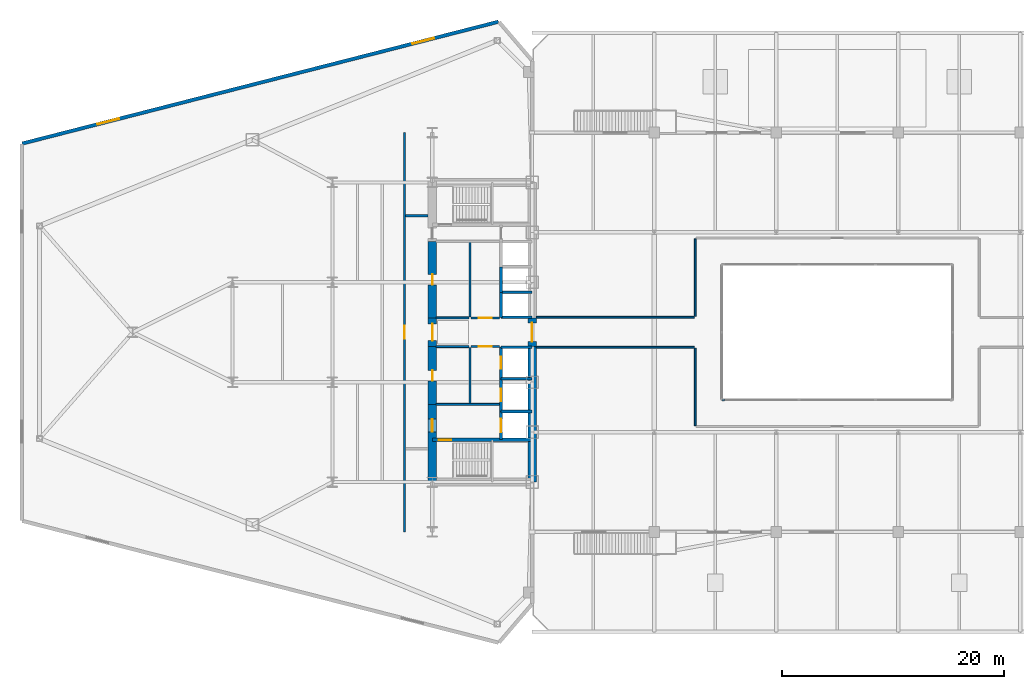
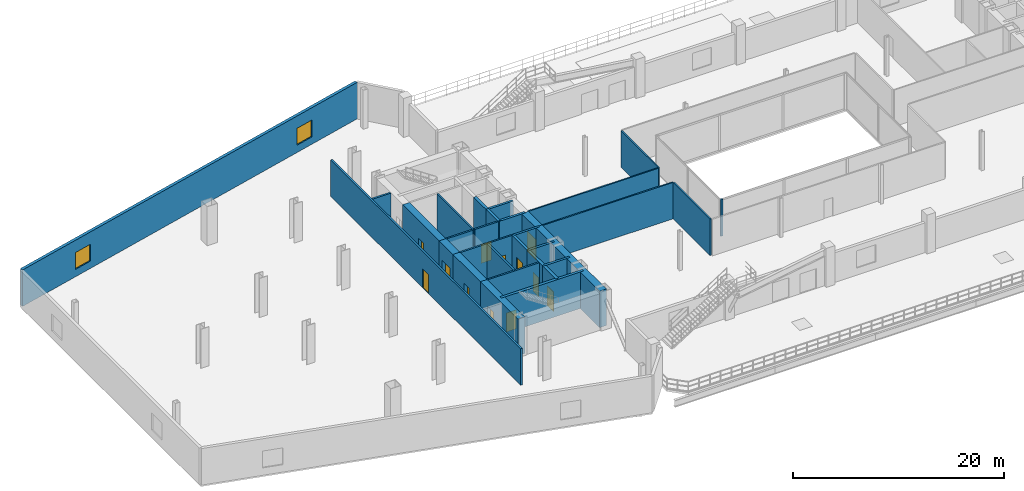
# One storey, part 18 of 27: 32 walls, 12 doors, 2 windows, 14 openings.
"""IFC4 building model written with IfcOpenShell, lengths in metres."""

from ifc_helpers import new_model, si_unit, direction, frame, frame_2d, origin, place, context, subcontext, project, spatial, rectangle, extrude, source, transform, mapped, material, layer, layer_set, type_object, type_shapes, element, fill, save


model = new_model("IFC4")

# Units and contexts
model_context = context("Model", 3, precision=1e-05, world=origin(), true_north=direction((0.0, 1.0)))
body_context = subcontext(model_context, "Body", "Model", "MODEL_VIEW")
ifc_project = project(units=[si_unit("LENGTHUNIT", "METRE"), si_unit("AREAUNIT", "SQUARE_METRE"), si_unit("VOLUMEUNIT", "CUBIC_METRE"), si_unit("PLANEANGLEUNIT", "RADIAN"), si_unit("MASSUNIT", "GRAM", prefix="KILO")], contexts=[model_context])

# Site, building, storey
site_placement = place(None, origin())
site = spatial("IfcSite", under=ifc_project, at=site_placement, CompositionType="ELEMENT")
building_placement = place(site_placement, origin())
building = spatial("IfcBuilding", under=site, at=building_placement, Name="Seokmaru Belvedere", CompositionType="ELEMENT")
storey_placement = place(building_placement, frame((0.0, 0.0, 9.89990234375)))
storey = spatial("IfcBuildingStorey", under=building, at=storey_placement, Name="L02", CompositionType="ELEMENT", Elevation=9.89990234375)

# Walls
ifc_material_1 = material(Name="Fire-Rated Gypsum Shaftwall")
ifc_layer_1 = layer(ifc_material_1, 0.14990234375)
ifc_layer_set_1 = layer_set([ifc_layer_1], Name="Fire-Rated Gypsum Shaftwall")
wall_type_1 = type_object("IfcWallType", Name="Apartment Fire-Acoustic Room Partition 150", PredefinedType="PARTITIONING", material=ifc_layer_set_1)
for number, where, z_axis, x_axis, name in (
    (1, (-27.1201171875, -1.35009765625, 0.0), (0.0, 0.0, 1.0), (1.0, 0.0, 0.0), "L02 Interior Partition 004"),
    (2, (-27.1201171875, 1.35009765625, 0.0), (0.0, 0.0, 1.0), (1.0, 0.0, 0.0), "L02 Interior Partition 006"),
):
    element("IfcWall", number, at=place(storey_placement, frame(where, z_axis=z_axis, x_axis=x_axis)), inside=storey, type_object=wall_type_1, Name=name, PredefinedType="PARTITIONING", context=body_context, shape_type="SweptSolid", body=[
        extrude(rectangle(XDim=14.235107421875, YDim=0.14990234375, at=frame_2d((7.11767578125, 0.0))), origin(), (0.0, 0.0, 1.0), 4.22021484375),
    ])
for number, where, z_axis, x_axis, name in (
    (3, (-12.800048828125, -8.4150390625, 0.0), (0.0, 0.0, 1.0), (0.0, 1.0, 0.0), "L02 Interior Partition 013"),
    (4, (-12.800048828125, 1.43505859375, 0.0), (0.0, 0.0, 1.0), (0.0, 1.0, 0.0), "L02 Interior Partition 014"),
):
    element("IfcWall", number, at=place(storey_placement, frame(where, z_axis=z_axis, x_axis=x_axis)), inside=storey, type_object=wall_type_1, Name=name, PredefinedType="PARTITIONING", context=body_context, shape_type="SweptSolid", body=[
        extrude(rectangle(XDim=6.97998046875, YDim=0.14990234375, at=frame_2d((3.489990234375, 0.0))), origin(), (0.0, 0.0, 1.0), 4.22021484375),
    ])
ifc_material_2 = material(Name="Anodised Bronze Aluminium", Category="aluminium")
ifc_layer_2 = layer(ifc_material_2, 0.2099609375)
ifc_layer_set_2 = layer_set([ifc_layer_2], Name="Anodised Bronze Aluminium")
wall_type_2 = type_object("IfcWallType", Name="Bridge Column Spandrel Closure Pier 210", PredefinedType="SOLIDWALL", material=ifc_layer_set_2)
wall_1_placement = place(storey_placement, frame((-10.39990234375, -6.10009765625, 0.0), z_axis=(0.0, 0.0, 1.0), x_axis=(1.0, 0.0, 0.0)))
element("IfcWall", 5, at=wall_1_placement, inside=storey, type_object=wall_type_2, Name="L02 Atrium Corner Closure Pier 1", PredefinedType="SOLIDWALL", context=body_context, shape_type="SweptSolid", body=[
    extrude(rectangle(XDim=0.25, YDim=0.2099609375, at=frame_2d((0.125, 0.0))), origin(), (0.0, 0.0, 1.0), 4.22021484375),
])
ifc_layer_3 = layer(ifc_material_1, 0.179931640625)
ifc_layer_set_3 = layer_set([ifc_layer_3], Name="Fire-Rated Gypsum Shaftwall")
wall_type_3 = type_object("IfcWallType", Name="Core Service Fire Partition 180", PredefinedType="PARTITIONING", material=ifc_layer_set_3)
wall_2_placement = place(storey_placement, frame((-36.14990234375, -6.5, 0.0), z_axis=(0.0, 0.0, 1.0), x_axis=(1.0, 0.0, 0.0)))
element("IfcWall", 6, at=wall_2_placement, inside=storey, type_object=wall_type_3, Name="L02 West Firefighting Lobby Partition", PredefinedType="PARTITIONING", context=body_context, shape_type="SweptSolid", body=[
    extrude(rectangle(XDim=5.699951171875, YDim=0.179931640625, at=frame_2d((2.85009765625, 0.0))), origin(), (0.0, 0.0, 1.0), 4.22021484375),
])
wall_3_placement = place(storey_placement, frame((-33.10009765625, -6.419921875, 0.0), z_axis=(0.0, 0.0, 1.0), x_axis=(0.0, 1.0, 0.0)))
element("IfcWall", 7, at=wall_3_placement, inside=storey, type_object=wall_type_3, Name="L02 West South Core Service Back Wall", PredefinedType="PARTITIONING", context=body_context, shape_type="SweptSolid", body=[
    extrude(rectangle(XDim=5.0400390625, YDim=0.179931640625, at=frame_2d((2.52001953125, 0.0))), origin(), (0.0, 0.0, 1.0), 4.22021484375),
])
wall_4_placement = place(storey_placement, frame((-33.10009765625, 1.3798828125, 0.0), z_axis=(0.0, 0.0, 1.0), x_axis=(0.0, 1.0, 0.0)))
element("IfcWall", 8, at=wall_4_placement, inside=storey, type_object=wall_type_3, Name="L02 West North Core Service Back Wall", PredefinedType="PARTITIONING", context=body_context, shape_type="SweptSolid", body=[
    extrude(rectangle(XDim=6.740234375, YDim=0.179931640625, at=frame_2d((3.3701171875, 0.0))), origin(), (0.0, 0.0, 1.0), 4.22021484375),
])

# Wall, opening, door
wall_5_placement = place(storey_placement, frame((-33.02001953125, -1.300048828125, 0.0), z_axis=(0.0, 0.0, 1.0), x_axis=(1.0, 0.0, 0.0)))
wall_5 = element("IfcWall", 9, at=wall_5_placement, inside=storey, type_object=wall_type_3, Name="L02 West South Lift Lobby Foyer Wall", PredefinedType="PARTITIONING", context=body_context, shape_type="SweptSolid", body=[
    extrude(rectangle(XDim=2.570068359375, YDim=0.179931640625, at=frame_2d((1.28515625, 0.0))), origin(), (0.0, 0.0, 1.0), 4.22021484375),
])
opening_1_placement = place(wall_5_placement, frame((0.7099609375, 0.0, 0.0)))
opening_1 = element("IfcOpeningElement", 10, at=opening_1_placement, cuts=wall_5, Name="Opening D02", PredefinedType="OPENING", context=body_context, shape_type="SweptSolid", body=[
    extrude(rectangle(XDim=1.14990234375, YDim=2.199951171875, at=frame_2d((0.574951171875, 1.10009765625))), frame((0.0, 0.10009765625, 0.0), z_axis=(0.0, -1.0, 0.0), x_axis=(1.0, 0.0, 0.0)), (0.0, 0.0, 1.0), 0.199951171875),
])
ifc_material_3 = material(Name="Fire-Rated Steel Leaf", Category="steel")
door_type_1 = type_object("IfcDoorType", Name="Lobby and Vestibule Fire Door 1150x2200", OperationType="NOTDEFINED", PredefinedType="DOOR", material=ifc_material_3)
shared_shape_1 = source(origin(), body_context, "Body", "SweptSolid", [
    extrude(rectangle(XDim=1.14990234375, YDim=2.199951171875, at=frame_2d((0.574951171875, 1.10009765625))), frame((0.0, 0.02490234375, 0.0), z_axis=(0.0, -1.0, 0.0), x_axis=(1.0, 0.0, 0.0)), (0.0, 0.0, 1.0), 0.050048828125),
])
type_shapes(door_type_1, [shared_shape_1])
door_1_placement = place(opening_1_placement, origin())
door_1 = element("IfcDoor", 11, at=door_1_placement, inside=storey, type_object=door_type_1, Name="L02 West South Core Foyer Door", OperationType="SINGLE_SWING_LEFT", OverallHeight=2.199951171875, OverallWidth=1.14990234375, PredefinedType="DOOR", context=body_context, shape_type="MappedRepresentation", body=[
    mapped(shared_shape_1, transform((0.0, 0.0, 0.0), scale=1.0)),
])
fill(opening_1, door_1)

wall_6_placement = place(storey_placement, frame((-33.02001953125, 1.300048828125, 0.0), z_axis=(0.0, 0.0, 1.0), x_axis=(1.0, 0.0, 0.0)))
wall_6 = element("IfcWall", 12, at=wall_6_placement, inside=storey, type_object=wall_type_3, Name="L02 West North Lift Lobby Foyer Wall", PredefinedType="PARTITIONING", context=body_context, shape_type="SweptSolid", body=[
    extrude(rectangle(XDim=2.570068359375, YDim=0.179931640625, at=frame_2d((1.28515625, 0.0))), origin(), (0.0, 0.0, 1.0), 4.22021484375),
])
opening_2_placement = place(wall_6_placement, frame((0.7099609375, 0.0, 0.0)))
opening_2 = element("IfcOpeningElement", 13, at=opening_2_placement, cuts=wall_6, Name="Opening D02", PredefinedType="OPENING", context=body_context, shape_type="SweptSolid", body=[
    extrude(rectangle(XDim=1.14990234375, YDim=2.199951171875, at=frame_2d((0.574951171875, 1.10009765625))), frame((0.0, 0.10009765625, 0.0), z_axis=(0.0, -1.0, 0.0), x_axis=(1.0, 0.0, 0.0)), (0.0, 0.0, 1.0), 0.199951171875),
])
door_2_placement = place(opening_2_placement, origin())
door_2 = element("IfcDoor", 14, at=door_2_placement, inside=storey, type_object=door_type_1, Name="L02 West North Lift Lobby Door", OperationType="SINGLE_SWING_RIGHT", OverallHeight=2.199951171875, OverallWidth=1.14990234375, PredefinedType="DOOR", context=body_context, shape_type="MappedRepresentation", body=[
    mapped(shared_shape_1, transform((0.0, 0.0, 0.0), scale=1.0)),
])
fill(opening_2, door_2)

# Walls
for number, where, z_axis, x_axis, name in (
    (15, (-36.14990234375, -1.300048828125, 0.0), (0.0, 0.0, 1.0), (1.0, 0.0, 0.0), "L02 West Foyer Side Wall S"),
    (16, (-36.14990234375, 1.300048828125, 0.0), (0.0, 0.0, 1.0), (1.0, 0.0, 0.0), "L02 West Foyer Side Wall N"),
):
    element("IfcWall", number, at=place(storey_placement, frame(where, z_axis=z_axis, x_axis=x_axis)), inside=storey, type_object=wall_type_3, Name=name, PredefinedType="PARTITIONING", context=body_context, shape_type="SweptSolid", body=[
        extrude(rectangle(XDim=2.949951171875, YDim=0.179931640625, at=frame_2d((1.47509765625, 0.0))), origin(), (0.0, 0.0, 1.0), 4.22021484375),
    ])
ifc_material_4 = material(Name="Concrete C50 (50 MPa)", Category="concrete")
ifc_layer_4 = layer(ifc_material_4, 0.25)
ifc_layer_set_4 = layer_set([ifc_layer_4], Name="Concrete C50 (50 MPa)")
wall_type_4 = type_object("IfcWallType", Name="Hoistway Transverse Concrete Divider Wall 250", PredefinedType="SHEAR", material=ifc_layer_set_4)
for number, where, z_axis, x_axis, name in (
    (17, (-30.300048828125, -7.14990234375, 0.0), (0.0, 0.0, 1.0), (1.0, 0.0, 0.0), "L02 West Hoistway Divider Core Wall 1"),
    (18, (-30.300048828125, -4.199951171875, 0.0), (0.0, 0.0, 1.0), (1.0, 0.0, 0.0), "L02 West Hoistway Divider Core Wall 2"),
    (19, (-30.300048828125, -1.35009765625, 0.0), (0.0, 0.0, 1.0), (1.0, 0.0, 0.0), "L02 West Hoistway Divider Core Wall 3"),
    (20, (-30.300048828125, 1.35009765625, 0.0), (0.0, 0.0, 1.0), (1.0, 0.0, 0.0), "L02 West Hoistway Divider Core Wall 4"),
    (21, (-30.300048828125, 3.60009765625, 0.0), (0.0, 0.0, 1.0), (1.0, 0.0, 0.0), "L02 West Hoistway Divider Core Wall 5"),
):
    element("IfcWall", number, at=place(storey_placement, frame(where, z_axis=z_axis, x_axis=x_axis)), inside=storey, type_object=wall_type_4, Name=name, PredefinedType="SHEAR", context=body_context, shape_type="SweptSolid", body=[
        extrude(rectangle(XDim=2.800048828125, YDim=0.25, at=frame_2d((1.39990234375, 0.0))), origin(), (0.0, 0.0, 1.0), 4.22021484375),
    ])
ifc_layer_5 = layer(ifc_material_1, 0.199951171875)
ifc_layer_set_5 = layer_set([ifc_layer_5], Name="Fire-Rated Gypsum Shaftwall")
wall_type_5 = type_object("IfcWallType", Name="Inter-Tenancy Fire Compartment Partition 200", PredefinedType="PARTITIONING", material=ifc_layer_set_5)
wall_7_placement = place(storey_placement, frame((-38.9150390625, 10.5, 0.0), z_axis=(0.0, 0.0, 1.0), x_axis=(1.0, 0.0, 0.0)))
element("IfcWall", 22, at=wall_7_placement, inside=storey, type_object=wall_type_5, Name="L02 Interior Partition 010", PredefinedType="PARTITIONING", context=body_context, shape_type="SweptSolid", body=[
    extrude(rectangle(XDim=2.03515625, YDim=0.199951171875, at=frame_2d((1.017578125, 0.0))), origin(), (0.0, 0.0, 1.0), 4.22021484375),
])

# Wall, opening, door
wall_8_placement = place(storey_placement, frame((-39.0, -18.0, 0.0), z_axis=(0.0, 0.0, 1.0), x_axis=(0.0, 1.0, 0.0)))
wall_8 = element("IfcWall", 23, at=wall_8_placement, inside=storey, type_object=wall_type_5, Name="L02 Interior Partition 012", PredefinedType="PARTITIONING", context=body_context, shape_type="SweptSolid", body=[
    extrude(rectangle(XDim=36.0, YDim=0.199951171875, at=frame_2d((18.0, 0.0))), origin(), (0.0, 0.0, 1.0), 4.22021484375),
])
opening_3_placement = place(wall_8_placement, frame((17.425048828125, 0.0, 0.0)))
opening_3 = element("IfcOpeningElement", 24, at=opening_3_placement, cuts=wall_8, Name="Opening D02", PredefinedType="OPENING", context=body_context, shape_type="SweptSolid", body=[
    extrude(rectangle(XDim=1.14990234375, YDim=2.199951171875, at=frame_2d((0.574951171875, 1.10009765625))), frame((0.0, 0.10986328125, 0.0), z_axis=(0.0, -1.0, 0.0), x_axis=(1.0, 0.0, 0.0)), (0.0, 0.0, 1.0), 0.219970703125),
])
door_3_placement = place(opening_3_placement, origin())
door_3 = element("IfcDoor", 25, at=door_3_placement, inside=storey, type_object=door_type_1, Name="L02 Interior Door 001", OperationType="SINGLE_SWING_LEFT", OverallHeight=2.199951171875, OverallWidth=1.14990234375, PredefinedType="DOOR", context=body_context, shape_type="MappedRepresentation", body=[
    mapped(shared_shape_1, transform((0.0, 0.0, 0.0), scale=1.0)),
])
fill(opening_3, door_3)

ifc_layer_6 = layer(ifc_material_4, 0.300048828125)
ifc_layer_set_6 = layer_set([ifc_layer_6], Name="Concrete C50 (50 MPa)")
wall_type_6 = type_object("IfcWallType", Name="Internal Core Stair and Hoistway Wall 300", PredefinedType="SHEAR", material=ifc_layer_set_6)
wall_9_placement = place(storey_placement, frame((-36.5, -9.699951171875, 0.0), z_axis=(0.0, 0.0, 1.0), x_axis=(1.0, 0.0, 0.0)))
wall_9 = element("IfcWall", 26, at=wall_9_placement, inside=storey, type_object=wall_type_6, Name="L02 West Stair ST-1 Enclosure Wall", PredefinedType="SHEAR", context=body_context, shape_type="SweptSolid", body=[
    extrude(rectangle(XDim=9.0, YDim=0.300048828125, at=frame_2d((4.5, 0.0))), origin(), (0.0, 0.0, 1.0), 4.22021484375),
])
opening_4_placement = place(wall_9_placement, frame((0.60009765625, 0.0, 0.0)))
opening_4 = element("IfcOpeningElement", 27, at=opening_4_placement, cuts=wall_9, Name="Opening D01", PredefinedType="OPENING", context=body_context, shape_type="SweptSolid", body=[
    extrude(rectangle(XDim=1.10009765625, YDim=2.199951171875, at=frame_2d((0.550048828125, 1.10009765625))), frame((0.0, 0.16015625, 0.0), z_axis=(0.0, -1.0, 0.0), x_axis=(1.0, 0.0, 0.0)), (0.0, 0.0, 1.0), 0.320068359375),
])
door_type_2 = type_object("IfcDoorType", Name="Special Escape Stair Smokeproof Fire Door 1100x2200", OperationType="NOTDEFINED", PredefinedType="DOOR", material=ifc_material_3)
shared_shape_2 = source(origin(), body_context, "Body", "SweptSolid", [
    extrude(rectangle(XDim=1.10009765625, YDim=2.199951171875, at=frame_2d((0.550048828125, 1.10009765625))), frame((0.0, 0.02490234375, 0.0), z_axis=(0.0, -1.0, 0.0), x_axis=(1.0, 0.0, 0.0)), (0.0, 0.0, 1.0), 0.050048828125),
])
type_shapes(door_type_2, [shared_shape_2])
door_4_placement = place(opening_4_placement, frame((1.10009765625, 0.0, 0.0), z_axis=(0.0, 0.0, 1.0), x_axis=(-1.0, 0.0, 0.0)))
door_4 = element("IfcDoor", 28, at=door_4_placement, inside=storey, type_object=door_type_2, Name="L02 West Special Escape Stair ST-1 Door", OperationType="SINGLE_SWING_LEFT", OverallHeight=2.199951171875, OverallWidth=1.10009765625, PredefinedType="DOOR", context=body_context, shape_type="MappedRepresentation", body=[
    mapped(shared_shape_2, transform((0.0, 0.0, 0.0), scale=1.0)),
])
fill(opening_4, door_4)

wall_10_placement = place(storey_placement, frame((-30.300048828125, -9.679931640625, 0.0), z_axis=(0.0, 0.0, 1.0), x_axis=(0.0, 1.0, 0.0)))
wall_10 = element("IfcWall", 29, at=wall_10_placement, inside=storey, type_object=wall_type_6, Name="L02 West Firefighting Lift Shaft Front Wall", PredefinedType="SHEAR", context=body_context, shape_type="SweptSolid", body=[
    extrude(rectangle(XDim=2.559814453125, YDim=0.300048828125, at=frame_2d((1.27978515625, 0.0))), origin(), (0.0, 0.0, 1.0), 4.22021484375),
])
opening_5_placement = place(wall_10_placement, frame((0.679931640625, 0.0, 0.0)))
opening_5 = element("IfcOpeningElement", 30, at=opening_5_placement, cuts=wall_10, Name="Opening LD2", PredefinedType="OPENING", context=body_context, shape_type="SweptSolid", body=[
    extrude(rectangle(XDim=1.199951171875, YDim=2.25, at=frame_2d((0.60009765625, 1.125))), frame((0.0, 0.16015625, 0.0), z_axis=(0.0, -1.0, 0.0), x_axis=(1.0, 0.0, 0.0)), (0.0, 0.0, 1.0), 0.320068359375),
])
ifc_material_5 = material(Name="Stainless Steel 316", Category="steel")
door_type_3 = type_object("IfcDoorType", Name="Firefighting Lift Sliding Landing Door 1200x2250", OperationType="DOUBLE_DOOR_SLIDING", PredefinedType="DOOR", material=ifc_material_5)
shared_shape_3 = source(origin(), body_context, "Body", "SweptSolid", [
    extrude(rectangle(XDim=1.199951171875, YDim=2.25, at=frame_2d((0.60009765625, 1.125))), frame((0.0, 0.02490234375, 0.0), z_axis=(0.0, -1.0, 0.0), x_axis=(1.0, 0.0, 0.0)), (0.0, 0.0, 1.0), 0.050048828125),
])
type_shapes(door_type_3, [shared_shape_3])
door_5_placement = place(opening_5_placement, origin())
door_5 = element("IfcDoor", 31, at=door_5_placement, inside=storey, type_object=door_type_3, Name="L02 West Firefighting Lift Landing Door", OperationType="DOUBLE_DOOR_SLIDING", OverallHeight=2.25, OverallWidth=1.199951171875, PredefinedType="DOOR", context=body_context, shape_type="MappedRepresentation", body=[
    mapped(shared_shape_3, transform((0.0, 0.0, 0.0), scale=1.0)),
])
fill(opening_5, door_5)

wall_11_placement = place(storey_placement, frame((-30.300048828125, -7.1201171875, 0.0), z_axis=(0.0, 0.0, 1.0), x_axis=(0.0, 1.0, 0.0)))
wall_11 = element("IfcWall", 32, at=wall_11_placement, inside=storey, type_object=wall_type_6, Name="L02 West Low-Rise Lift PL-1 Front Wall", PredefinedType="SHEAR", context=body_context, shape_type="SweptSolid", body=[
    extrude(rectangle(XDim=2.920166015625, YDim=0.300048828125, at=frame_2d((1.4599609375, 0.0))), origin(), (0.0, 0.0, 1.0), 4.22021484375),
])
opening_6_placement = place(wall_11_placement, frame((0.909912109375, 0.0, 0.0)))
opening_6 = element("IfcOpeningElement", 33, at=opening_6_placement, cuts=wall_11, Name="Opening LD1", PredefinedType="OPENING", context=body_context, shape_type="SweptSolid", body=[
    extrude(rectangle(XDim=1.10009765625, YDim=2.199951171875, at=frame_2d((0.550048828125, 1.10009765625))), frame((0.0, 0.16015625, 0.0), z_axis=(0.0, -1.0, 0.0), x_axis=(1.0, 0.0, 0.0)), (0.0, 0.0, 1.0), 0.320068359375),
])
door_type_4 = type_object("IfcDoorType", Name="Passenger Lift Sliding Landing Door 1100x2200", OperationType="DOUBLE_DOOR_SLIDING", PredefinedType="DOOR", material=ifc_material_5)
shared_shape_4 = source(origin(), body_context, "Body", "SweptSolid", [
    extrude(rectangle(XDim=1.10009765625, YDim=2.199951171875, at=frame_2d((0.550048828125, 1.10009765625))), frame((0.0, 0.02490234375, 0.0), z_axis=(0.0, -1.0, 0.0), x_axis=(1.0, 0.0, 0.0)), (0.0, 0.0, 1.0), 0.050048828125),
])
type_shapes(door_type_4, [shared_shape_4])
door_6_placement = place(opening_6_placement, origin())
door_6 = element("IfcDoor", 34, at=door_6_placement, inside=storey, type_object=door_type_4, Name="L02 West Low-Rise Lift PL-1 Landing Door", OperationType="DOUBLE_DOOR_SLIDING", OverallHeight=2.199951171875, OverallWidth=1.10009765625, PredefinedType="DOOR", context=body_context, shape_type="MappedRepresentation", body=[
    mapped(shared_shape_4, transform((0.0, 0.0, 0.0), scale=1.0)),
])
fill(opening_6, door_6)

wall_12_placement = place(storey_placement, frame((-30.300048828125, -4.199951171875, 0.0), z_axis=(0.0, 0.0, 1.0), x_axis=(0.0, 1.0, 0.0)))
wall_12 = element("IfcWall", 35, at=wall_12_placement, inside=storey, type_object=wall_type_6, Name="L02 West Low-Rise Lift PL-2 Front Wall", PredefinedType="SHEAR", context=body_context, shape_type="SweptSolid", body=[
    extrude(rectangle(XDim=2.8798828125, YDim=0.300048828125, at=frame_2d((1.43994140625, 0.0))), origin(), (0.0, 0.0, 1.0), 4.22021484375),
])
opening_7_placement = place(wall_12_placement, frame((0.889892578125, 0.0, 0.0)))
opening_7 = element("IfcOpeningElement", 36, at=opening_7_placement, cuts=wall_12, Name="Opening LD1", PredefinedType="OPENING", context=body_context, shape_type="SweptSolid", body=[
    extrude(rectangle(XDim=1.10009765625, YDim=2.199951171875, at=frame_2d((0.550048828125, 1.10009765625))), frame((0.0, 0.16015625, 0.0), z_axis=(0.0, -1.0, 0.0), x_axis=(1.0, 0.0, 0.0)), (0.0, 0.0, 1.0), 0.320068359375),
])
door_7_placement = place(opening_7_placement, origin())
door_7 = element("IfcDoor", 37, at=door_7_placement, inside=storey, type_object=door_type_4, Name="L02 West Low-Rise Lift PL-2 Landing Door", OperationType="DOUBLE_DOOR_SLIDING", OverallHeight=2.199951171875, OverallWidth=1.10009765625, PredefinedType="DOOR", context=body_context, shape_type="MappedRepresentation", body=[
    mapped(shared_shape_4, transform((0.0, 0.0, 0.0), scale=1.0)),
])
fill(opening_7, door_7)

# Walls
wall_13_placement = place(storey_placement, frame((-30.300048828125, 1.320068359375, 0.0), z_axis=(0.0, 0.0, 1.0), x_axis=(0.0, 1.0, 0.0)))
element("IfcWall", 38, at=wall_13_placement, inside=storey, type_object=wall_type_6, Name="L02 West North Hoistway Wall PH1", PredefinedType="SHEAR", context=body_context, shape_type="SweptSolid", body=[
    extrude(rectangle(XDim=2.280029296875, YDim=0.300048828125, at=frame_2d((1.14013671875, 0.0))), origin(), (0.0, 0.0, 1.0), 4.22021484375),
])
wall_14_placement = place(storey_placement, frame((-30.300048828125, 3.60009765625, 0.0), z_axis=(0.0, 0.0, 1.0), x_axis=(0.0, 1.0, 0.0)))
element("IfcWall", 39, at=wall_14_placement, inside=storey, type_object=wall_type_6, Name="L02 West North Hoistway Wall PH2", PredefinedType="SHEAR", context=body_context, shape_type="SweptSolid", body=[
    extrude(rectangle(XDim=2.2998046875, YDim=0.300048828125, at=frame_2d((1.14990234375, 0.0))), origin(), (0.0, 0.0, 1.0), 4.22021484375),
])
ifc_material_6 = material(Name="Concrete C60 (60 MPa)", Category="concrete")
ifc_layer_7 = layer(ifc_material_6, 0.75)
ifc_layer_set_7 = layer_set([ifc_layer_7], Name="Concrete C60 (60 MPa)")
wall_type_7 = type_object("IfcWallType", Name="Lower Tower Reinforced Concrete Core Wall 750", PredefinedType="SHEAR", material=ifc_layer_set_7)
wall_15_placement = place(storey_placement, frame((-27.5, -13.5, 0.0), z_axis=(0.0, 0.0, 1.0), x_axis=(0.0, 1.0, 0.0)))
element("IfcWall", 40, at=wall_15_placement, inside=storey, type_object=wall_type_7, Name="L02 West Portal Spine Core Wall South", PredefinedType="SHEAR", context=body_context, shape_type="SweptSolid", body=[
    extrude(rectangle(XDim=12.199951171875, YDim=0.75, at=frame_2d((6.10009765625, 0.0))), origin(), (0.0, 0.0, 1.0), 4.22021484375),
])

# Wall, opening, door
wall_16_placement = place(storey_placement, frame((-27.5, -1.300048828125, 0.0), z_axis=(0.0, 0.0, 1.0), x_axis=(0.0, 1.0, 0.0)))
wall_16 = element("IfcWall", 41, at=wall_16_placement, inside=storey, type_object=wall_type_7, Name="L02 West Portal Spine Core Wall Center", PredefinedType="SHEAR", context=body_context, shape_type="SweptSolid", body=[
    extrude(rectangle(XDim=2.60009765625, YDim=0.75, at=frame_2d((1.300048828125, 0.0))), origin(), (0.0, 0.0, 1.0), 4.22021484375),
])
opening_8_placement = place(wall_16_placement, frame((0.449951171875, 0.0, 0.0)))
opening_8 = element("IfcOpeningElement", 42, at=opening_8_placement, cuts=wall_16, Name="Opening D09", PredefinedType="OPENING", context=body_context, shape_type="SweptSolid", body=[
    extrude(rectangle(XDim=1.699951171875, YDim=2.35009765625, at=frame_2d((0.85009765625, 1.175048828125))), frame((0.0, 0.385009765625, 0.0), z_axis=(0.0, -1.0, 0.0), x_axis=(1.0, 0.0, 0.0)), (0.0, 0.0, 1.0), 0.77001953125),
])
door_type_5 = type_object("IfcDoorType", Name="Sky-Gate Bridge Inter-Tower Fire Door 1700x2350", OperationType="DOUBLE_SWING_LEFT", PredefinedType="DOOR", material=ifc_material_3)
shared_shape_5 = source(origin(), body_context, "Body", "SweptSolid", [
    extrude(rectangle(XDim=1.699951171875, YDim=2.35009765625, at=frame_2d((0.85009765625, 1.175048828125))), frame((0.0, 0.02490234375, 0.0), z_axis=(0.0, -1.0, 0.0), x_axis=(1.0, 0.0, 0.0)), (0.0, 0.0, 1.0), 0.050048828125),
])
type_shapes(door_type_5, [shared_shape_5])
door_8_placement = place(opening_8_placement, origin())
door_8 = element("IfcDoor", 43, at=door_8_placement, inside=storey, type_object=door_type_5, Name="L02 West Inter-Tower Fire Door", OperationType="DOUBLE_SWING_LEFT", OverallHeight=2.35009765625, OverallWidth=1.699951171875, PredefinedType="DOOR", context=body_context, shape_type="MappedRepresentation", body=[
    mapped(shared_shape_5, transform((0.0, 0.0, 0.0), scale=1.0)),
])
fill(opening_8, door_8)

wall_17_placement = place(storey_placement, frame((-36.5, -13.64990234375, 0.0), z_axis=(0.0, 0.0, 1.0), x_axis=(0.0, 1.0, 0.0)))
wall_17 = element("IfcWall", 44, at=wall_17_placement, inside=storey, type_object=wall_type_7, Name="L02 West West Core Wall FF", PredefinedType="SHEAR", context=body_context, shape_type="SweptSolid", body=[
    extrude(rectangle(XDim=7.14990234375, YDim=0.75, at=frame_2d((3.574951171875, 0.0))), origin(), (0.0, 0.0, 1.0), 4.22021484375),
])
opening_9_placement = place(wall_17_placement, frame((4.675048828125, 0.0, 0.0)))
opening_9 = element("IfcOpeningElement", 45, at=opening_9_placement, cuts=wall_17, Name="Opening D02", PredefinedType="OPENING", context=body_context, shape_type="SweptSolid", body=[
    extrude(rectangle(XDim=1.14990234375, YDim=2.199951171875, at=frame_2d((0.574951171875, 1.10009765625))), frame((0.0, 0.385009765625, 0.0), z_axis=(0.0, -1.0, 0.0), x_axis=(1.0, 0.0, 0.0)), (0.0, 0.0, 1.0), 0.77001953125),
])
door_9_placement = place(opening_9_placement, frame((1.14990234375, 0.0, 0.0), z_axis=(0.0, 0.0, 1.0), x_axis=(-1.0, 0.0, 0.0)))
door_9 = element("IfcDoor", 46, at=door_9_placement, inside=storey, type_object=door_type_1, Name="L02 West Firefighting Lobby Door", OperationType="SINGLE_SWING_LEFT", OverallHeight=2.199951171875, OverallWidth=1.14990234375, PredefinedType="DOOR", context=body_context, shape_type="MappedRepresentation", body=[
    mapped(shared_shape_1, transform((0.0, 0.0, 0.0), scale=1.0)),
])
fill(opening_9, door_9)

wall_18_placement = place(storey_placement, frame((-36.5, -1.300048828125, 0.0), z_axis=(0.0, 0.0, 1.0), x_axis=(0.0, 1.0, 0.0)))
wall_18 = element("IfcWall", 47, at=wall_18_placement, inside=storey, type_object=wall_type_7, Name="L02 West West Core Wall FOY", PredefinedType="SHEAR", context=body_context, shape_type="SweptSolid", body=[
    extrude(rectangle(XDim=2.60009765625, YDim=0.75, at=frame_2d((1.300048828125, 0.0))), origin(), (0.0, 0.0, 1.0), 4.22021484375),
])
opening_10_placement = place(wall_18_placement, frame((0.550048828125, 0.0, 0.0)))
opening_10 = element("IfcOpeningElement", 48, at=opening_10_placement, cuts=wall_18, Name="Opening D08", PredefinedType="OPENING", context=body_context, shape_type="SweptSolid", body=[
    extrude(rectangle(XDim=1.5, YDim=2.300048828125, at=frame_2d((0.75, 1.14990234375))), frame((0.0, 0.385009765625, 0.0), z_axis=(0.0, -1.0, 0.0), x_axis=(1.0, 0.0, 0.0)), (0.0, 0.0, 1.0), 0.77001953125),
])
door_type_6 = type_object("IfcDoorType", Name="Cross-Corridor Compartment Double Fire Door 1500x2300", OperationType="DOUBLE_SWING_LEFT", PredefinedType="DOOR", material=ifc_material_3)
shared_shape_6 = source(origin(), body_context, "Body", "SweptSolid", [
    extrude(rectangle(XDim=1.5, YDim=2.300048828125, at=frame_2d((0.75, 1.14990234375))), frame((0.0, 0.02490234375, 0.0), z_axis=(0.0, -1.0, 0.0), x_axis=(1.0, 0.0, 0.0)), (0.0, 0.0, 1.0), 0.050048828125),
])
type_shapes(door_type_6, [shared_shape_6])
door_10_placement = place(opening_10_placement, origin())
door_10 = element("IfcDoor", 49, at=door_10_placement, inside=storey, type_object=door_type_6, Name="L02 West Core Foyer Compartment Door", OperationType="DOUBLE_SWING_LEFT", OverallHeight=2.300048828125, OverallWidth=1.5, PredefinedType="DOOR", context=body_context, shape_type="MappedRepresentation", body=[
    mapped(shared_shape_6, transform((0.0, 0.0, 0.0), scale=1.0)),
])
fill(opening_10, door_10)

wall_19_placement = place(storey_placement, frame((-36.5, -6.5, 0.0), z_axis=(0.0, 0.0, 1.0), x_axis=(0.0, 1.0, 0.0)))
wall_19 = element("IfcWall", 50, at=wall_19_placement, inside=storey, type_object=wall_type_7, Name="L02 West West Core Wall CS1", PredefinedType="SHEAR", context=body_context, shape_type="SweptSolid", body=[
    extrude(rectangle(XDim=5.199951171875, YDim=0.75, at=frame_2d((2.60009765625, 0.0))), origin(), (0.0, 0.0, 1.0), 4.22021484375),
])
opening_11_placement = place(wall_19_placement, frame((2.125, 0.0, 0.0)))
opening_11 = element("IfcOpeningElement", 51, at=opening_11_placement, cuts=wall_19, Name="Opening D04", PredefinedType="OPENING", context=body_context, shape_type="SweptSolid", body=[
    extrude(rectangle(XDim=0.949951171875, YDim=2.14990234375, at=frame_2d((0.47509765625, 1.074951171875))), frame((0.0, 0.385009765625, 0.0), z_axis=(0.0, -1.0, 0.0), x_axis=(1.0, 0.0, 0.0)), (0.0, 0.0, 1.0), 0.77001953125),
])
door_type_7 = type_object("IfcDoorType", Name="Core Service Room Fire Door 950x2150", OperationType="NOTDEFINED", PredefinedType="DOOR", material=ifc_material_3)
shared_shape_7 = source(origin(), body_context, "Body", "SweptSolid", [
    extrude(rectangle(XDim=0.949951171875, YDim=2.14990234375, at=frame_2d((0.47509765625, 1.074951171875))), frame((0.0, 0.02490234375, 0.0), z_axis=(0.0, -1.0, 0.0), x_axis=(1.0, 0.0, 0.0)), (0.0, 0.0, 1.0), 0.050048828125),
])
type_shapes(door_type_7, [shared_shape_7])
door_11_placement = place(opening_11_placement, origin())
door_11 = element("IfcDoor", 52, at=door_11_placement, inside=storey, type_object=door_type_7, Name="L02 West Core Service Room Door 1", OperationType="SINGLE_SWING_LEFT", OverallHeight=2.14990234375, OverallWidth=0.949951171875, PredefinedType="DOOR", context=body_context, shape_type="MappedRepresentation", body=[
    mapped(shared_shape_7, transform((0.0, 0.0, 0.0), scale=1.0)),
])
fill(opening_11, door_11)

wall_20_placement = place(storey_placement, frame((-36.5, 1.300048828125, 0.0), z_axis=(0.0, 0.0, 1.0), x_axis=(0.0, 1.0, 0.0)))
wall_20 = element("IfcWall", 53, at=wall_20_placement, inside=storey, type_object=wall_type_7, Name="L02 West West Core Wall CS2", PredefinedType="SHEAR", context=body_context, shape_type="SweptSolid", body=[
    extrude(rectangle(XDim=6.89990234375, YDim=0.75, at=frame_2d((3.449951171875, 0.0))), origin(), (0.0, 0.0, 1.0), 4.22021484375),
])
opening_12_placement = place(wall_20_placement, frame((2.97509765625, 0.0, 0.0)))
opening_12 = element("IfcOpeningElement", 54, at=opening_12_placement, cuts=wall_20, Name="Opening D04", PredefinedType="OPENING", context=body_context, shape_type="SweptSolid", body=[
    extrude(rectangle(XDim=0.949951171875, YDim=2.14990234375, at=frame_2d((0.47509765625, 1.074951171875))), frame((0.0, 0.385009765625, 0.0), z_axis=(0.0, -1.0, 0.0), x_axis=(1.0, 0.0, 0.0)), (0.0, 0.0, 1.0), 0.77001953125),
])
door_12_placement = place(opening_12_placement, origin())
door_12 = element("IfcDoor", 55, at=door_12_placement, inside=storey, type_object=door_type_7, Name="L02 West Core Service Room Door 2", OperationType="SINGLE_SWING_RIGHT", OverallHeight=2.14990234375, OverallWidth=0.949951171875, PredefinedType="DOOR", context=body_context, shape_type="MappedRepresentation", body=[
    mapped(shared_shape_7, transform((0.0, 0.0, 0.0), scale=1.0)),
])
fill(opening_12, door_12)

# Wall, openings, windows
ifc_material_7 = material(Name="Concrete C40 (40 MPa)", Category="concrete")
ifc_layer_8 = layer(ifc_material_7, 0.320068359375)
ifc_layer_set_8 = layer_set([ifc_layer_8], Name="Concrete C40 (40 MPa)")
wall_type_8 = type_object("IfcWallType", Name="Podium Terrace Insulated Wall 320", PredefinedType="SOLIDWALL", material=ifc_layer_set_8)
wall_21_placement = place(storey_placement, frame((-30.538818359375, 27.989990234375, 0.0), z_axis=(0.0, 0.0, 1.0), x_axis=(-0.968803566014, -0.247829882134, 0.0)))
wall_21 = element("IfcWall", 56, at=wall_21_placement, inside=storey, type_object=wall_type_8, Name="L02 Exterior Podium Wall 15", PredefinedType="SOLIDWALL", context=body_context, shape_type="SweptSolid", body=[
    extrude(rectangle(XDim=44.304443359375, YDim=0.320068359375, at=frame_2d((22.15234375, 0.0))), origin(), (0.0, 0.0, 1.0), 4.22021484375),
])
opening_13_placement = place(wall_21_placement, frame((6.0, 0.0, 0.85009765625)))
opening_13 = element("IfcOpeningElement", 57, at=opening_13_placement, cuts=wall_21, Name="Opening WN7", PredefinedType="OPENING", context=body_context, shape_type="SweptSolid", body=[
    extrude(rectangle(XDim=2.0, YDim=1.949951171875, at=frame_2d((1.0, 0.97509765625))), frame((0.0, 0.169921875, 0.0), z_axis=(0.0, -1.0, 0.0), x_axis=(1.0, 0.0, 0.0)), (0.0, 0.0, 1.0), 0.340087890625),
])
opening_14_placement = place(wall_21_placement, frame((35.304931640625, 0.0, 0.85009765625)))
opening_14 = element("IfcOpeningElement", 58, at=opening_14_placement, cuts=wall_21, Name="Opening WN7", PredefinedType="OPENING", context=body_context, shape_type="SweptSolid", body=[
    extrude(rectangle(XDim=2.0, YDim=1.949951171875, at=frame_2d((1.0, 0.97509765625))), frame((0.0, 0.169921875, 0.0), z_axis=(0.0, -1.0, 0.0), x_axis=(1.0, 0.0, 0.0)), (0.0, 0.0, 1.0), 0.340087890625),
])
ifc_material_8 = material(Name="Bronze Triple Insulating Glass", Category="glass")
window_type = type_object("IfcWindowType", Name="Podium Wing Corner Window 2000x1950", PartitioningType="SINGLE_PANEL", PredefinedType="WINDOW", material=ifc_material_8)
shared_shape_8 = source(origin(), body_context, "Body", "SweptSolid", [
    extrude(rectangle(XDim=2.0, YDim=1.949951171875, at=frame_2d((1.0, 0.97509765625))), frame((0.0, 0.030029296875, 0.0), z_axis=(0.0, -1.0, 0.0), x_axis=(1.0, 0.0, 0.0)), (0.0, 0.0, 1.0), 0.06005859375),
])
type_shapes(window_type, [shared_shape_8])
window_1_placement = place(opening_13_placement, origin())
window_1 = element("IfcWindow", 59, at=window_1_placement, inside=storey, type_object=window_type, Name="L02 Podium Gallery Window 14-1", OverallHeight=1.949951171875, OverallWidth=2.0, PartitioningType="SINGLE_PANEL", PredefinedType="WINDOW", context=body_context, shape_type="MappedRepresentation", body=[
    mapped(shared_shape_8, transform((0.0, 0.0, 0.0), scale=1.0)),
])
fill(opening_13, window_1)
window_2_placement = place(opening_14_placement, origin())
window_2 = element("IfcWindow", 60, at=window_2_placement, inside=storey, type_object=window_type, Name="L02 Podium Gallery Window 14-2", OverallHeight=1.949951171875, OverallWidth=2.0, PartitioningType="SINGLE_PANEL", PredefinedType="WINDOW", context=body_context, shape_type="MappedRepresentation", body=[
    mapped(shared_shape_8, transform((0.0, 0.0, 0.0), scale=1.0)),
])
fill(opening_14, window_2)

save(model, "model.ifc")
